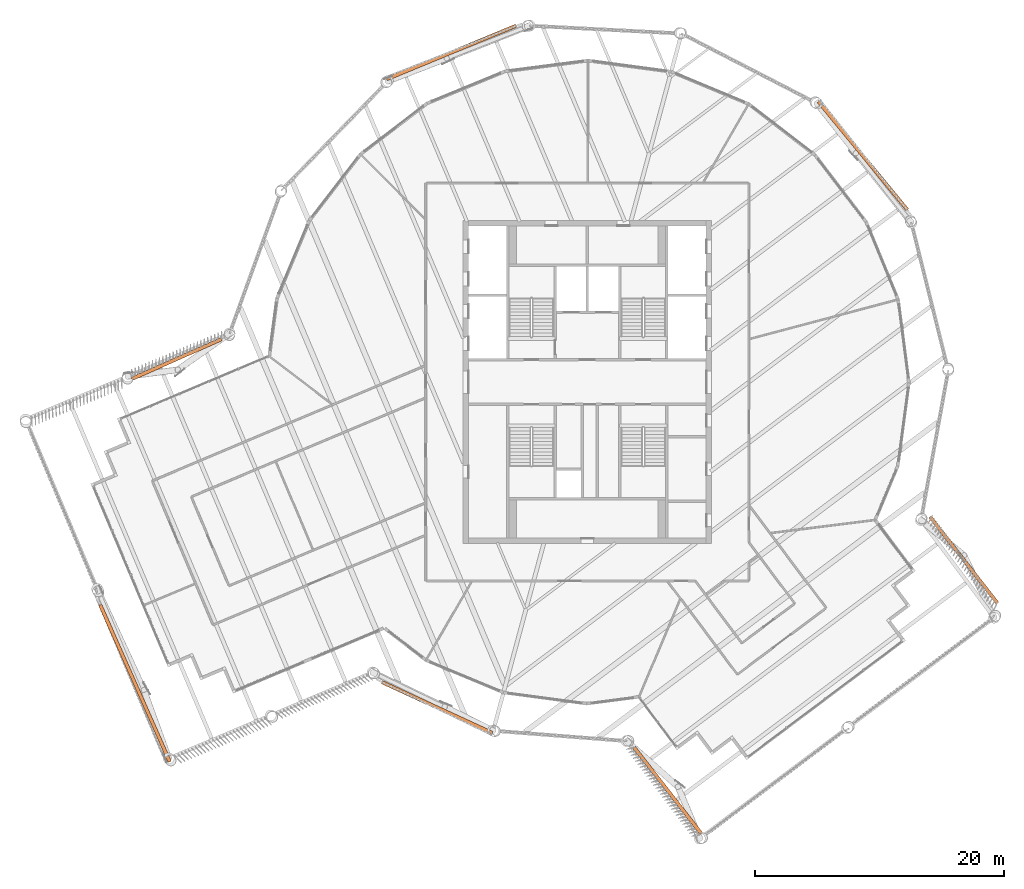
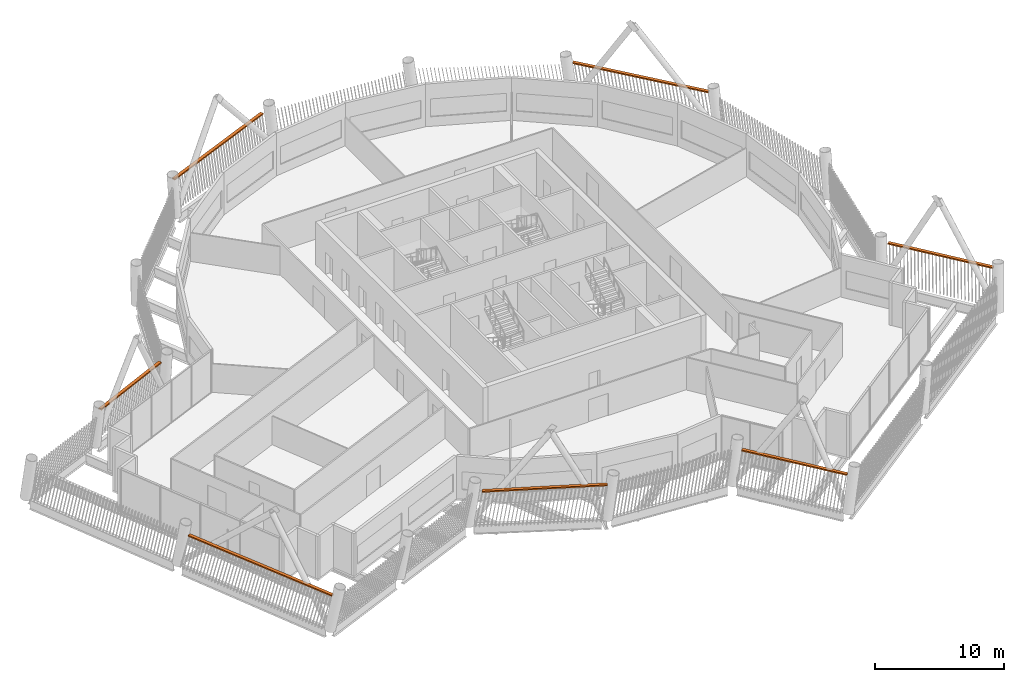
# One storey, part 35 of 35: 7 proxies.
"""IFC4 building model written with IfcOpenShell, lengths in metres."""

from ifc_helpers import new_model, si_unit, direction, frame, origin, origin_2d, place, context, subcontext, project, spatial, rectangle, extrude, material, type_object, element, save


model = new_model("IFC4")

# Units and contexts
model_context = context("Model", 3, precision=1e-05, world=origin(), true_north=direction((0.0, 1.0)))
body_context = subcontext(model_context, "Body", "Model", "MODEL_VIEW")
ifc_project = project(units=[si_unit("LENGTHUNIT", "METRE"), si_unit("AREAUNIT", "SQUARE_METRE"), si_unit("VOLUMEUNIT", "CUBIC_METRE"), si_unit("PLANEANGLEUNIT", "RADIAN"), si_unit("MASSUNIT", "GRAM", prefix="KILO")], contexts=[model_context])

# Site, building, storey
site_placement = place(None, origin())
site = spatial("IfcSite", under=ifc_project, at=site_placement, CompositionType="ELEMENT")
building_placement = place(site_placement, origin())
building = spatial("IfcBuilding", under=site, at=building_placement, Name="Tarsis Ring Headquarters", CompositionType="ELEMENT")
storey_placement = place(building_placement, frame((0.0, 0.0, 377.60009765625)))
storey = spatial("IfcBuildingStorey", under=building, at=storey_placement, Name="L89", CompositionType="ELEMENT", Elevation=377.60009765625)

# Proxies
ifc_material = material(Name="Structural steel S355", Category="steel")
building_element_proxy_type = type_object("IfcBuildingElementProxyType", Name="Screen bracket plate", PredefinedType="USERDEFINED", material=ifc_material)
for number, where, z_axis, x_axis, name in (
    (1, (6.467041015625, -32.861328125, 3.2802734375), (0.0, 0.0, 1.0), (0.614560701355, -0.788869535697, 0.0), "Screen bracket L89-01"),
    (2, (30.281005859375, -14.309326171875, 3.2802734375), (0.0, 0.0, 1.0), (-0.614560577439, 0.788869632232, 0.0), "Screen bracket L89-04"),
):
    element("IfcBuildingElementProxy", number, at=place(storey_placement, frame(where, z_axis=z_axis, x_axis=x_axis)), inside=storey, type_object=building_element_proxy_type, Name=name, ObjectType="Bracket", PredefinedType="USERDEFINED", context=body_context, shape_type="SweptSolid", body=[
        extrude(rectangle(XDim=8.804443359375, YDim=0.28271484375, at=origin_2d()), origin(), (0.0, 0.0, 1.0), 0.1201171875),
    ])
for number, where, z_axis, x_axis, name in (
    (3, (22.167236328125, 18.21240234375, 3.2802734375), (0.0, 0.0, 1.0), (-0.634814949923, 0.772664208666, 0.0), "Screen bracket L89-07"),
    (4, (-10.9482421875, 26.51806640625, 3.2802734375), (0.0, 0.0, 1.0), (-0.924321484172, -0.381614719185, 0.0), "Screen bracket L89-10"),
):
    element("IfcBuildingElementProxy", number, at=place(storey_placement, frame(where, z_axis=z_axis, x_axis=x_axis)), inside=storey, type_object=building_element_proxy_type, Name=name, ObjectType="Bracket", PredefinedType="USERDEFINED", context=body_context, shape_type="SweptSolid", body=[
        extrude(rectangle(XDim=11.248779296875, YDim=0.28271484375, at=origin_2d()), origin(), (0.0, 0.0, 1.0), 0.1201171875),
    ])
proxy_1_placement = place(storey_placement, frame((-33.037353515625, 1.85791015625, 3.2802734375), z_axis=(0.0, 0.0, 1.0), x_axis=(-0.914112421832, -0.405460824559, 0.0)))
element("IfcBuildingElementProxy", 5, at=proxy_1_placement, inside=storey, type_object=building_element_proxy_type, Name="Screen bracket L89-13", ObjectType="Bracket", PredefinedType="USERDEFINED", context=body_context, shape_type="SweptSolid", body=[
    extrude(rectangle(XDim=7.90234375, YDim=0.28271484375, at=origin_2d()), origin(), (0.0, 0.0, 1.0), 0.1201171875),
])
proxy_2_placement = place(storey_placement, frame((-36.39208984375, -24.2373046875, 3.2802734375), z_axis=(0.0, 0.0, 1.0), x_axis=(0.405460744788, -0.914112457215, 0.0)))
element("IfcBuildingElementProxy", 6, at=proxy_2_placement, inside=storey, type_object=building_element_proxy_type, Name="Screen bracket L89-16", ObjectType="Bracket", PredefinedType="USERDEFINED", context=body_context, shape_type="SweptSolid", body=[
    extrude(rectangle(XDim=13.800048828125, YDim=0.28271484375, at=origin_2d()), origin(), (0.0, 0.0, 1.0), 0.1201171875),
])
proxy_3_placement = place(storey_placement, frame((-12.080322265625, -26.186279296875, 3.2802734375), z_axis=(0.0, 0.0, 1.0), x_axis=(0.908033676753, -0.418897173399, 0.0)))
element("IfcBuildingElementProxy", 7, at=proxy_3_placement, inside=storey, type_object=building_element_proxy_type, Name="Screen bracket L89-19", ObjectType="Bracket", PredefinedType="USERDEFINED", context=body_context, shape_type="SweptSolid", body=[
    extrude(rectangle(XDim=9.771728515625, YDim=0.28271484375, at=origin_2d()), origin(), (0.0, 0.0, 1.0), 0.1201171875),
])

save(model, "model.ifc")
